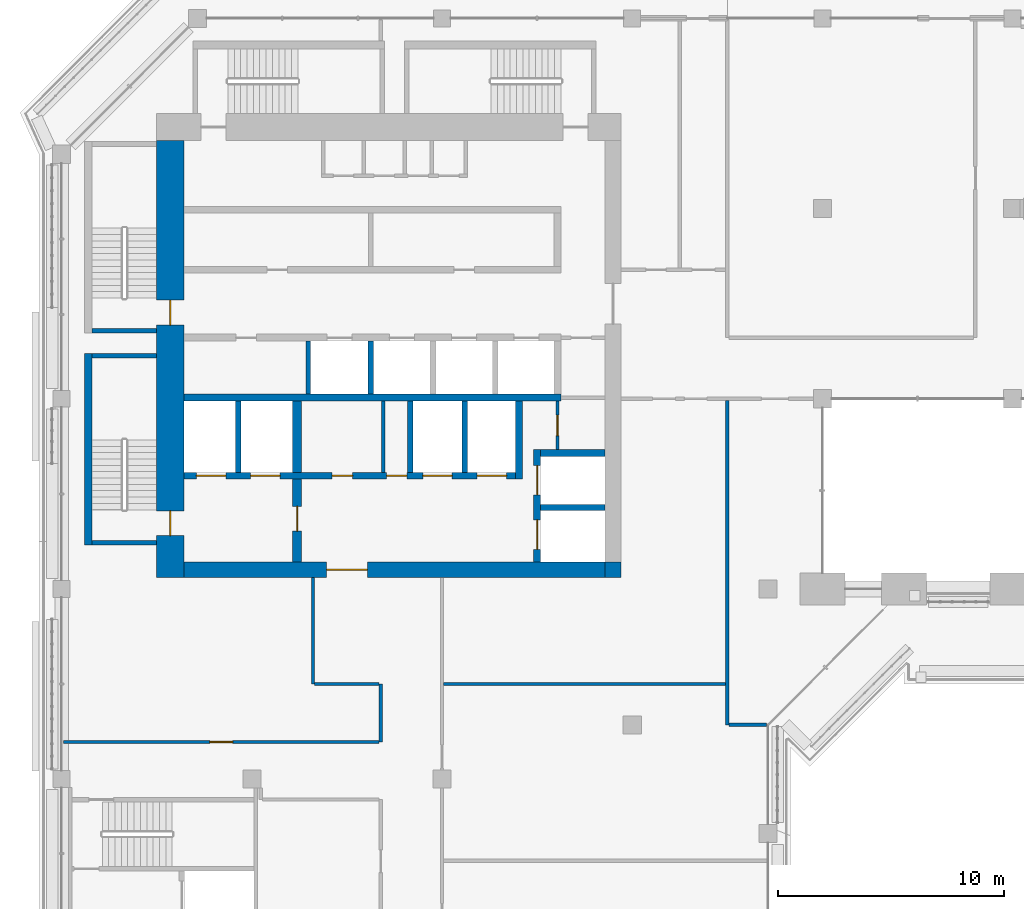
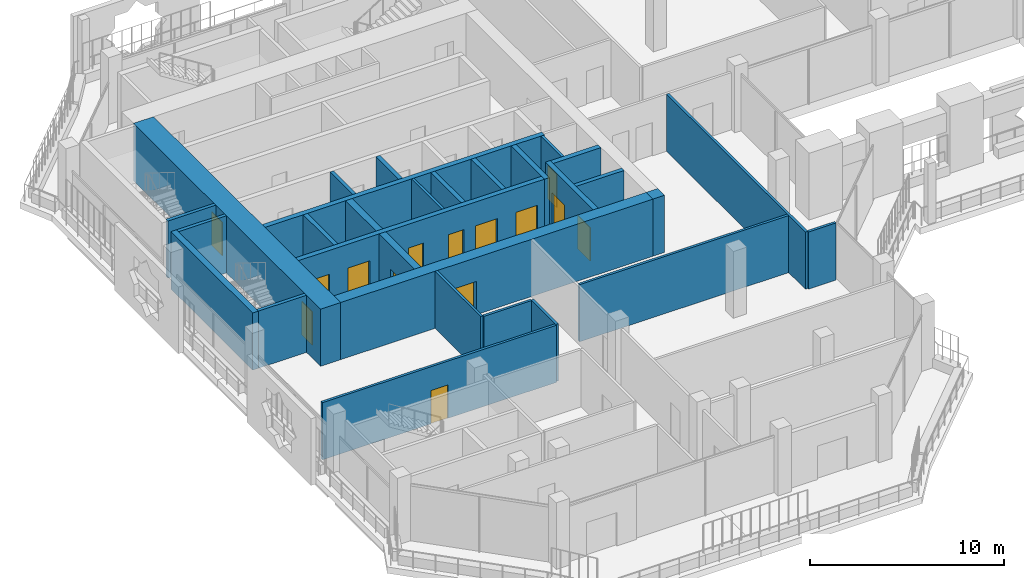
# One storey, part 10 of 22: 29 walls, 14 doors, 14 openings.
"""IFC4 building model written with IfcOpenShell, lengths in metres."""

from ifc_helpers import new_model, si_unit, direction, frame, frame_2d, origin, place, context, subcontext, project, spatial, rectangle, extrude, material, layer, layer_set, type_object, element, fill, save


model = new_model("IFC4")

# Units and contexts
model_context = context("Model", 3, precision=1e-05, world=origin(), true_north=direction((0.0, 1.0)))
body_context = subcontext(model_context, "Body", "Model", "MODEL_VIEW")
ifc_project = project(units=[si_unit("LENGTHUNIT", "METRE"), si_unit("AREAUNIT", "SQUARE_METRE"), si_unit("VOLUMEUNIT", "CUBIC_METRE"), si_unit("PLANEANGLEUNIT", "RADIAN"), si_unit("MASSUNIT", "GRAM", prefix="KILO")], contexts=[model_context])

# Site, building, storey
site_placement = place(None, origin())
site = spatial("IfcSite", under=ifc_project, at=site_placement, CompositionType="ELEMENT")
building_placement = place(site_placement, origin())
building = spatial("IfcBuilding", under=site, at=building_placement, Name="Kawkab Arch Medical Tower", CompositionType="ELEMENT")
storey_placement = place(building_placement, frame((0.0, 0.0, 286.0)))
storey = spatial("IfcBuildingStorey", under=building, at=storey_placement, Name="L66", CompositionType="ELEMENT", Elevation=286.0)

# Wall, openings, doors
ifc_material_1 = material(Name="Concrete C50/60", Category="concrete")
ifc_layer_1 = layer(ifc_material_1, 1.199951171875)
ifc_layer_set_1 = layer_set([ifc_layer_1], Name="Concrete C50/60")
wall_type_1 = type_object("IfcWallType", Name="Core ring wall 1200 C50/60", PredefinedType="SHEAR", material=ifc_layer_set_1)
wall_1_placement = place(storey_placement, frame((4.800048828125, -24.699951171875, 0.0), z_axis=(0.0, 0.0, 1.0), x_axis=(0.0, 1.0, 0.0)))
wall_1 = element("IfcWall", 1, at=wall_1_placement, inside=storey, type_object=wall_type_1, Name="L66 core wall", PredefinedType="SHEAR", context=body_context, shape_type="SweptSolid", body=[
    extrude(rectangle(XDim=19.300048828125, YDim=1.199951171875, at=frame_2d((9.64990234375, 0.0))), origin(), (0.0, 0.0, 1.0), 3.60009765625),
])
opening_1_placement = place(wall_1_placement, frame((11.14990234375, 0.0, 0.0)))
opening_1 = element("IfcOpeningElement", 2, at=opening_1_placement, cuts=wall_1, Name="Opening SD", PredefinedType="OPENING", context=body_context, shape_type="SweptSolid", body=[
    extrude(rectangle(XDim=1.10009765625, YDim=2.10009765625, at=frame_2d((0.550048828125, 1.050048828125))), frame((0.0, 0.60986328125, 0.0), z_axis=(0.0, -1.0, 0.0), x_axis=(1.0, 0.0, 0.0)), (0.0, 0.0, 1.0), 1.219970703125),
])
opening_2_placement = place(wall_1_placement, frame((1.85009765625, 0.0, 0.0)))
opening_2 = element("IfcOpeningElement", 3, at=opening_2_placement, cuts=wall_1, Name="Opening SD", PredefinedType="OPENING", context=body_context, shape_type="SweptSolid", body=[
    extrude(rectangle(XDim=1.10009765625, YDim=2.10009765625, at=frame_2d((0.550048828125, 1.050048828125))), frame((0.0, 0.60986328125, 0.0), z_axis=(0.0, -1.0, 0.0), x_axis=(1.0, 0.0, 0.0)), (0.0, 0.0, 1.0), 1.219970703125),
])
ifc_material_2 = material(Name="Hollow metal fire door leaf")
door_type_1 = type_object("IfcDoorType", Name="Exit stair door 1100", OperationType="SINGLE_SWING_LEFT", PredefinedType="DOOR", material=ifc_material_2)
door_1_placement = place(opening_1_placement, origin())
door_1 = element("IfcDoor", 4, at=door_1_placement, inside=storey, type_object=door_type_1, Name="L66 Exit stair ST1 door", OperationType="SINGLE_SWING_LEFT", OverallHeight=2.10009765625, OverallWidth=1.10009765625, PredefinedType="DOOR", context=body_context, shape_type="SweptSolid", body=[
    extrude(rectangle(XDim=1.10009765625, YDim=2.10009765625, at=frame_2d((0.550048828125, 1.050048828125))), frame((0.0, 0.02490234375, 0.0), z_axis=(0.0, -1.0, 0.0), x_axis=(1.0, 0.0, 0.0)), (0.0, 0.0, 1.0), 0.050048828125),
])
fill(opening_1, door_1)
door_2_placement = place(opening_2_placement, origin())
door_2 = element("IfcDoor", 5, at=door_2_placement, inside=storey, type_object=door_type_1, Name="L66 Exit stair ST2 door", OperationType="SINGLE_SWING_LEFT", OverallHeight=2.10009765625, OverallWidth=1.10009765625, PredefinedType="DOOR", context=body_context, shape_type="SweptSolid", body=[
    extrude(rectangle(XDim=1.10009765625, YDim=2.10009765625, at=frame_2d((0.550048828125, 1.050048828125))), frame((0.0, 0.02490234375, 0.0), z_axis=(0.0, -1.0, 0.0), x_axis=(1.0, 0.0, 0.0)), (0.0, 0.0, 1.0), 0.050048828125),
])
fill(opening_2, door_2)

# Wall, opening, door
ifc_material_3 = material(Name="Concrete C50/60", Category="concrete")
ifc_layer_2 = layer(ifc_material_3, 0.699951171875)
ifc_layer_set_2 = layer_set([ifc_layer_2], Name="Concrete C50/60")
wall_type_2 = type_object("IfcWallType", Name="Core ring wall 700 C50/60", PredefinedType="SHEAR", material=ifc_layer_set_2)
wall_2_placement = place(storey_placement, frame((5.39990234375, -24.35009765625, 0.0), z_axis=(0.0, 0.0, 1.0), x_axis=(1.0, 0.0, 0.0)))
wall_2 = element("IfcWall", 6, at=wall_2_placement, inside=storey, type_object=wall_type_2, Name="L66 core wall", PredefinedType="SHEAR", context=body_context, shape_type="SweptSolid", body=[
    extrude(rectangle(XDim=18.60009765625, YDim=0.699951171875, at=frame_2d((9.300048828125, 0.0))), origin(), (0.0, 0.0, 1.0), 3.60009765625),
])
opening_3_placement = place(wall_2_placement, frame((6.300048828125, 0.0, 0.0)))
opening_3 = element("IfcOpeningElement", 7, at=opening_3_placement, cuts=wall_2, Name="Opening PD", PredefinedType="OPENING", context=body_context, shape_type="SweptSolid", body=[
    extrude(rectangle(XDim=1.800048828125, YDim=2.10009765625, at=frame_2d((0.89990234375, 1.050048828125))), frame((0.0, 0.35986328125, 0.0), z_axis=(0.0, -1.0, 0.0), x_axis=(1.0, 0.0, 0.0)), (0.0, 0.0, 1.0), 0.719970703125),
])
ifc_material_4 = material(Name="Hollow metal fire door leaf")
door_type_2 = type_object("IfcDoorType", Name="Core entrance doors 1800", OperationType="DOUBLE_DOOR_SINGLE_SWING", PredefinedType="DOOR", material=ifc_material_4)
door_3_placement = place(opening_3_placement, origin())
door_3 = element("IfcDoor", 8, at=door_3_placement, inside=storey, type_object=door_type_2, Name="L66 South entrance doors", OperationType="DOUBLE_DOOR_SINGLE_SWING", OverallHeight=2.10009765625, OverallWidth=1.800048828125, PredefinedType="DOOR", context=body_context, shape_type="SweptSolid", body=[
    extrude(rectangle(XDim=1.800048828125, YDim=2.10009765625, at=frame_2d((0.89990234375, 1.050048828125))), frame((0.0, 0.02490234375, 0.0), z_axis=(0.0, -1.0, 0.0), x_axis=(1.0, 0.0, 0.0)), (0.0, 0.0, 1.0), 0.050048828125),
])
fill(opening_3, door_3)

# Wall
wall_3_placement = place(storey_placement, frame((24.35009765625, -24.699951171875, 0.0), z_axis=(0.0, 0.0, 1.0), x_axis=(0.0, 1.0, 0.0)))
element("IfcWall", 9, at=wall_3_placement, inside=storey, type_object=wall_type_2, Name="L66 core wall", PredefinedType="SHEAR", context=body_context, shape_type="SweptSolid", body=[
    extrude(rectangle(XDim=0.699951171875, YDim=0.699951171875, at=frame_2d((0.35009765625, 0.0))), origin(), (0.0, 0.0, 1.0), 3.60009765625),
])

# Wall, opening, door
ifc_material_5 = material(Name="Gypsum board on steel studs", Category="steel")
ifc_layer_3 = layer(ifc_material_5, 0.14990234375)
ifc_layer_set_3 = layer_set([ifc_layer_3], Name="Gypsum board on steel studs")
wall_type_3 = type_object("IfcWallType", Name="Core room partition 150", PredefinedType="PARTITIONING", material=ifc_layer_set_3)
wall_4_placement = place(storey_placement, frame((21.89990234375, -19.050048828125, 0.0), z_axis=(0.0, 0.0, 1.0), x_axis=(0.0, 1.0, 0.0)))
wall_4 = element("IfcWall", 10, at=wall_4_placement, inside=storey, type_object=wall_type_3, Name="L66 core room partition", PredefinedType="PARTITIONING", context=body_context, shape_type="SweptSolid", body=[
    extrude(rectangle(XDim=2.150146484375, YDim=0.14990234375, at=frame_2d((1.0751953125, 0.0))), origin(), (0.0, 0.0, 1.0), 3.60009765625),
])
opening_4_placement = place(wall_4_placement, frame((0.625, 0.0, 0.0)))
opening_4 = element("IfcOpeningElement", 11, at=opening_4_placement, cuts=wall_4, Name="Opening RD", PredefinedType="OPENING", context=body_context, shape_type="SweptSolid", body=[
    extrude(rectangle(XDim=0.89990234375, YDim=2.10009765625, at=frame_2d((0.449951171875, 1.050048828125))), frame((0.0, 0.0849609375, 0.0), z_axis=(0.0, -1.0, 0.0), x_axis=(1.0, 0.0, 0.0)), (0.0, 0.0, 1.0), 0.169921875),
])
ifc_material_6 = material(Name="Hollow metal fire door leaf")
door_type_3 = type_object("IfcDoorType", Name="Core room door 900", OperationType="SINGLE_SWING_LEFT", PredefinedType="DOOR", material=ifc_material_6)
door_4_placement = place(opening_4_placement, origin())
door_4 = element("IfcDoor", 12, at=door_4_placement, inside=storey, type_object=door_type_3, Name="L66 Staff WC door", OperationType="SINGLE_SWING_LEFT", OverallHeight=2.10009765625, OverallWidth=0.89990234375, PredefinedType="DOOR", context=body_context, shape_type="SweptSolid", body=[
    extrude(rectangle(XDim=0.89990234375, YDim=2.10009765625, at=frame_2d((0.449951171875, 1.050048828125))), frame((0.0, 0.02490234375, 0.0), z_axis=(0.0, -1.0, 0.0), x_axis=(1.0, 0.0, 0.0)), (0.0, 0.0, 1.0), 0.050048828125),
])
fill(opening_4, door_4)

# Walls
wall_5_placement = place(storey_placement, frame((14.199951171875, -20.050048828125, 0.0), z_axis=(0.0, 0.0, 1.0), x_axis=(0.0, 1.0, 0.0)))
element("IfcWall", 13, at=wall_5_placement, inside=storey, type_object=wall_type_3, Name="L66 core room partition", PredefinedType="PARTITIONING", context=body_context, shape_type="SweptSolid", body=[
    extrude(rectangle(XDim=3.150146484375, YDim=0.14990234375, at=frame_2d((1.5751953125, 0.0))), origin(), (0.0, 0.0, 1.0), 3.60009765625),
])
ifc_material_7 = material(Name="Concrete C60/75", Category="concrete")
ifc_layer_4 = layer(ifc_material_7, 0.25)
ifc_layer_set_4 = layer_set([ifc_layer_4], Name="Concrete C60/75")
wall_type_4 = type_object("IfcWallType", Name="Core shear wall 250 C60/75", PredefinedType="SHEAR", material=ifc_layer_set_4)
wall_6_placement = place(storey_placement, frame((21.14990234375, -21.60009765625, 0.0), z_axis=(0.0, 0.0, 1.0), x_axis=(1.0, 0.0, 0.0)))
element("IfcWall", 14, at=wall_6_placement, inside=storey, type_object=wall_type_4, Name="L66 core shear wall", PredefinedType="SHEAR", context=body_context, shape_type="SweptSolid", body=[
    extrude(rectangle(XDim=2.85009765625, YDim=0.25, at=frame_2d((1.425048828125, 0.0))), origin(), (0.0, 0.0, 1.0), 3.60009765625),
])
for number, where, z_axis, x_axis, name in (
    (15, (7.800048828125, -20.050048828125, 0.0), (0.0, 0.0, 1.0), (0.0, 1.0, 0.0), "L66 core shear wall"),
    (16, (15.39990234375, -20.050048828125, 0.0), (0.0, 0.0, 1.0), (0.0, 1.0, 0.0), "L66 core shear wall"),
    (17, (17.800048828125, -20.050048828125, 0.0), (0.0, 0.0, 1.0), (0.0, 1.0, 0.0), "L66 core shear wall"),
):
    element("IfcWall", number, at=place(storey_placement, frame(where, z_axis=z_axis, x_axis=x_axis)), inside=storey, type_object=wall_type_4, Name=name, PredefinedType="SHEAR", context=body_context, shape_type="SweptSolid", body=[
        extrude(rectangle(XDim=3.150146484375, YDim=0.25, at=frame_2d((1.5751953125, 0.0))), origin(), (0.0, 0.0, 1.0), 3.60009765625),
    ])
wall_7_placement = place(storey_placement, frame((13.64990234375, -16.60009765625, 0.0), z_axis=(0.0, 0.0, 1.0), x_axis=(0.0, 1.0, 0.0)))
element("IfcWall", 18, at=wall_7_placement, inside=storey, type_object=wall_type_4, Name="L66 core shear wall", PredefinedType="SHEAR", context=body_context, shape_type="SweptSolid", body=[
    extrude(rectangle(XDim=2.35009765625, YDim=0.25, at=frame_2d((1.175048828125, 0.0))), origin(), (0.0, 0.0, 1.0), 3.60009765625),
])
ifc_material_8 = material(Name="Concrete C60/75", Category="concrete")
ifc_layer_5 = layer(ifc_material_8, 0.300048828125)
ifc_layer_set_5 = layer_set([ifc_layer_5], Name="Concrete C60/75")
wall_type_5 = type_object("IfcWallType", Name="Core shear wall 300 C60/75", PredefinedType="SHEAR", material=ifc_layer_set_5)
wall_8_placement = place(storey_placement, frame((5.39990234375, -16.75, 0.0), z_axis=(0.0, 0.0, 1.0), x_axis=(1.0, 0.0, 0.0)))
element("IfcWall", 19, at=wall_8_placement, inside=storey, type_object=wall_type_5, Name="L66 core shear wall", PredefinedType="SHEAR", context=body_context, shape_type="SweptSolid", body=[
    extrude(rectangle(XDim=16.650146484375, YDim=0.300048828125, at=frame_2d((8.3251953125, 0.0))), origin(), (0.0, 0.0, 1.0), 3.60009765625),
])

# Wall, openings, doors
wall_9_placement = place(storey_placement, frame((5.39990234375, -20.199951171875, 0.0), z_axis=(0.0, 0.0, 1.0), x_axis=(1.0, 0.0, 0.0)))
wall_9 = element("IfcWall", 20, at=wall_9_placement, inside=storey, type_object=wall_type_5, Name="L66 core shear wall", PredefinedType="SHEAR", context=body_context, shape_type="SweptSolid", body=[
    extrude(rectangle(XDim=14.650146484375, YDim=0.300048828125, at=frame_2d((7.3251953125, 0.0))), origin(), (0.0, 0.0, 1.0), 3.60009765625),
])
opening_5_placement = place(wall_9_placement, frame((10.550048828125, 0.0, 0.0)))
opening_5 = element("IfcOpeningElement", 21, at=opening_5_placement, cuts=wall_9, Name="Opening LD2", PredefinedType="OPENING", context=body_context, shape_type="SweptSolid", body=[
    extrude(rectangle(XDim=1.300048828125, YDim=2.10009765625, at=frame_2d((0.64990234375, 1.050048828125))), frame((0.0, 0.159912109375, 0.0), z_axis=(0.0, -1.0, 0.0), x_axis=(1.0, 0.0, 0.0)), (0.0, 0.0, 1.0), 0.320068359375),
])
opening_6_placement = place(wall_9_placement, frame((12.949951171875, 0.0, 0.0)))
opening_6 = element("IfcOpeningElement", 22, at=opening_6_placement, cuts=wall_9, Name="Opening LD2", PredefinedType="OPENING", context=body_context, shape_type="SweptSolid", body=[
    extrude(rectangle(XDim=1.300048828125, YDim=2.10009765625, at=frame_2d((0.64990234375, 1.050048828125))), frame((0.0, 0.159912109375, 0.0), z_axis=(0.0, -1.0, 0.0), x_axis=(1.0, 0.0, 0.0)), (0.0, 0.0, 1.0), 0.320068359375),
])
opening_7_placement = place(wall_9_placement, frame((0.550048828125, 0.0, 0.0)))
opening_7 = element("IfcOpeningElement", 23, at=opening_7_placement, cuts=wall_9, Name="Opening LD2", PredefinedType="OPENING", context=body_context, shape_type="SweptSolid", body=[
    extrude(rectangle(XDim=1.300048828125, YDim=2.10009765625, at=frame_2d((0.64990234375, 1.050048828125))), frame((0.0, 0.159912109375, 0.0), z_axis=(0.0, -1.0, 0.0), x_axis=(1.0, 0.0, 0.0)), (0.0, 0.0, 1.0), 0.320068359375),
])
opening_8_placement = place(wall_9_placement, frame((2.949951171875, 0.0, 0.0)))
opening_8 = element("IfcOpeningElement", 24, at=opening_8_placement, cuts=wall_9, Name="Opening LD2", PredefinedType="OPENING", context=body_context, shape_type="SweptSolid", body=[
    extrude(rectangle(XDim=1.300048828125, YDim=2.10009765625, at=frame_2d((0.64990234375, 1.050048828125))), frame((0.0, 0.159912109375, 0.0), z_axis=(0.0, -1.0, 0.0), x_axis=(1.0, 0.0, 0.0)), (0.0, 0.0, 1.0), 0.320068359375),
])
opening_9_placement = place(wall_9_placement, frame((6.550048828125, 0.0, 0.0)))
opening_9 = element("IfcOpeningElement", 25, at=opening_9_placement, cuts=wall_9, Name="Opening RD", PredefinedType="OPENING", context=body_context, shape_type="SweptSolid", body=[
    extrude(rectangle(XDim=0.89990234375, YDim=2.10009765625, at=frame_2d((0.449951171875, 1.050048828125))), frame((0.0, 0.159912109375, 0.0), z_axis=(0.0, -1.0, 0.0), x_axis=(1.0, 0.0, 0.0)), (0.0, 0.0, 1.0), 0.320068359375),
])
opening_10_placement = place(wall_9_placement, frame((8.949951171875, 0.0, 0.0)))
opening_10 = element("IfcOpeningElement", 26, at=opening_10_placement, cuts=wall_9, Name="Opening RD", PredefinedType="OPENING", context=body_context, shape_type="SweptSolid", body=[
    extrude(rectangle(XDim=0.89990234375, YDim=2.10009765625, at=frame_2d((0.449951171875, 1.050048828125))), frame((0.0, 0.159912109375, 0.0), z_axis=(0.0, -1.0, 0.0), x_axis=(1.0, 0.0, 0.0)), (0.0, 0.0, 1.0), 0.320068359375),
])
door_5_placement = place(opening_9_placement, origin())
door_5 = element("IfcDoor", 27, at=door_5_placement, inside=storey, type_object=door_type_3, Name="L66 Medication store door", OperationType="SINGLE_SWING_LEFT", OverallHeight=2.10009765625, OverallWidth=0.89990234375, PredefinedType="DOOR", context=body_context, shape_type="SweptSolid", body=[
    extrude(rectangle(XDim=0.89990234375, YDim=2.10009765625, at=frame_2d((0.449951171875, 1.050048828125))), frame((0.0, 0.02490234375, 0.0), z_axis=(0.0, -1.0, 0.0), x_axis=(1.0, 0.0, 0.0)), (0.0, 0.0, 1.0), 0.050048828125),
])
fill(opening_9, door_5)
door_6_placement = place(opening_10_placement, origin())
door_6 = element("IfcDoor", 28, at=door_6_placement, inside=storey, type_object=door_type_3, Name="L66 Clean utility room door", OperationType="SINGLE_SWING_LEFT", OverallHeight=2.10009765625, OverallWidth=0.89990234375, PredefinedType="DOOR", context=body_context, shape_type="SweptSolid", body=[
    extrude(rectangle(XDim=0.89990234375, YDim=2.10009765625, at=frame_2d((0.449951171875, 1.050048828125))), frame((0.0, 0.02490234375, 0.0), z_axis=(0.0, -1.0, 0.0), x_axis=(1.0, 0.0, 0.0)), (0.0, 0.0, 1.0), 0.050048828125),
])
fill(opening_10, door_6)
ifc_material_9 = material(Name="Stainless steel lift door leaf", Category="steel")
door_type_4 = type_object("IfcDoorType", Name="Lift landing door 1300", OperationType="DOUBLE_DOOR_SLIDING", PredefinedType="DOOR", material=ifc_material_9)
door_7_placement = place(opening_5_placement, origin())
door_7 = element("IfcDoor", 29, at=door_7_placement, inside=storey, type_object=door_type_4, Name="L66 Lift landing door BD3", OperationType="DOUBLE_DOOR_SLIDING", OverallHeight=2.10009765625, OverallWidth=1.300048828125, PredefinedType="DOOR", context=body_context, shape_type="SweptSolid", body=[
    extrude(rectangle(XDim=1.300048828125, YDim=2.10009765625, at=frame_2d((0.64990234375, 1.050048828125))), frame((0.0, 0.02490234375, 0.0), z_axis=(0.0, -1.0, 0.0), x_axis=(1.0, 0.0, 0.0)), (0.0, 0.0, 1.0), 0.050048828125),
])
fill(opening_5, door_7)
door_8_placement = place(opening_6_placement, origin())
door_8 = element("IfcDoor", 30, at=door_8_placement, inside=storey, type_object=door_type_4, Name="L66 Lift landing door BD4", OperationType="DOUBLE_DOOR_SLIDING", OverallHeight=2.10009765625, OverallWidth=1.300048828125, PredefinedType="DOOR", context=body_context, shape_type="SweptSolid", body=[
    extrude(rectangle(XDim=1.300048828125, YDim=2.10009765625, at=frame_2d((0.64990234375, 1.050048828125))), frame((0.0, 0.02490234375, 0.0), z_axis=(0.0, -1.0, 0.0), x_axis=(1.0, 0.0, 0.0)), (0.0, 0.0, 1.0), 0.050048828125),
])
fill(opening_6, door_8)
door_9_placement = place(opening_7_placement, origin())
door_9 = element("IfcDoor", 31, at=door_9_placement, inside=storey, type_object=door_type_4, Name="L66 Lift landing door FL1", OperationType="DOUBLE_DOOR_SLIDING", OverallHeight=2.10009765625, OverallWidth=1.300048828125, PredefinedType="DOOR", context=body_context, shape_type="SweptSolid", body=[
    extrude(rectangle(XDim=1.300048828125, YDim=2.10009765625, at=frame_2d((0.64990234375, 1.050048828125))), frame((0.0, 0.02490234375, 0.0), z_axis=(0.0, -1.0, 0.0), x_axis=(1.0, 0.0, 0.0)), (0.0, 0.0, 1.0), 0.050048828125),
])
fill(opening_7, door_9)
door_10_placement = place(opening_8_placement, origin())
door_10 = element("IfcDoor", 32, at=door_10_placement, inside=storey, type_object=door_type_4, Name="L66 Lift landing door FL2", OperationType="DOUBLE_DOOR_SLIDING", OverallHeight=2.10009765625, OverallWidth=1.300048828125, PredefinedType="DOOR", context=body_context, shape_type="SweptSolid", body=[
    extrude(rectangle(XDim=1.300048828125, YDim=2.10009765625, at=frame_2d((0.64990234375, 1.050048828125))), frame((0.0, 0.02490234375, 0.0), z_axis=(0.0, -1.0, 0.0), x_axis=(1.0, 0.0, 0.0)), (0.0, 0.0, 1.0), 0.050048828125),
])
fill(opening_8, door_10)

# Walls
wall_10_placement = place(storey_placement, frame((20.199951171875, -20.35009765625, 0.0), z_axis=(0.0, 0.0, 1.0), x_axis=(0.0, 1.0, 0.0)))
element("IfcWall", 33, at=wall_10_placement, inside=storey, type_object=wall_type_5, Name="L66 core shear wall", PredefinedType="SHEAR", context=body_context, shape_type="SweptSolid", body=[
    extrude(rectangle(XDim=3.4501953125, YDim=0.300048828125, at=frame_2d((1.72509765625, 0.0))), origin(), (0.0, 0.0, 1.0), 3.60009765625),
])
wall_11_placement = place(storey_placement, frame((21.14990234375, -19.199951171875, 0.0), z_axis=(0.0, 0.0, 1.0), x_axis=(1.0, 0.0, 0.0)))
element("IfcWall", 34, at=wall_11_placement, inside=storey, type_object=wall_type_5, Name="L66 core shear wall", PredefinedType="SHEAR", context=body_context, shape_type="SweptSolid", body=[
    extrude(rectangle(XDim=2.85009765625, YDim=0.300048828125, at=frame_2d((1.425048828125, 0.0))), origin(), (0.0, 0.0, 1.0), 3.60009765625),
])

# Wall, openings, doors
wall_12_placement = place(storey_placement, frame((21.0, -24.0, 0.0), z_axis=(0.0, 0.0, 1.0), x_axis=(0.0, 1.0, 0.0)))
wall_12 = element("IfcWall", 35, at=wall_12_placement, inside=storey, type_object=wall_type_5, Name="L66 core shear wall", PredefinedType="SHEAR", context=body_context, shape_type="SweptSolid", body=[
    extrude(rectangle(XDim=4.949951171875, YDim=0.300048828125, at=frame_2d((2.47509765625, 0.0))), origin(), (0.0, 0.0, 1.0), 3.60009765625),
])
opening_11_placement = place(wall_12_placement, frame((2.949951171875, 0.0, 0.0)))
opening_11 = element("IfcOpeningElement", 36, at=opening_11_placement, cuts=wall_12, Name="Opening LD2", PredefinedType="OPENING", context=body_context, shape_type="SweptSolid", body=[
    extrude(rectangle(XDim=1.300048828125, YDim=2.10009765625, at=frame_2d((0.64990234375, 1.050048828125))), frame((0.0, 0.159912109375, 0.0), z_axis=(0.0, -1.0, 0.0), x_axis=(1.0, 0.0, 0.0)), (0.0, 0.0, 1.0), 0.320068359375),
])
opening_12_placement = place(wall_12_placement, frame((0.550048828125, 0.0, 0.0)))
opening_12 = element("IfcOpeningElement", 37, at=opening_12_placement, cuts=wall_12, Name="Opening LD2", PredefinedType="OPENING", context=body_context, shape_type="SweptSolid", body=[
    extrude(rectangle(XDim=1.300048828125, YDim=2.10009765625, at=frame_2d((0.64990234375, 1.050048828125))), frame((0.0, 0.159912109375, 0.0), z_axis=(0.0, -1.0, 0.0), x_axis=(1.0, 0.0, 0.0)), (0.0, 0.0, 1.0), 0.320068359375),
])
door_11_placement = place(opening_11_placement, origin())
door_11 = element("IfcDoor", 38, at=door_11_placement, inside=storey, type_object=door_type_4, Name="L66 Lift landing door BD1", OperationType="DOUBLE_DOOR_SLIDING", OverallHeight=2.10009765625, OverallWidth=1.300048828125, PredefinedType="DOOR", context=body_context, shape_type="SweptSolid", body=[
    extrude(rectangle(XDim=1.300048828125, YDim=2.10009765625, at=frame_2d((0.64990234375, 1.050048828125))), frame((0.0, 0.02490234375, 0.0), z_axis=(0.0, -1.0, 0.0), x_axis=(1.0, 0.0, 0.0)), (0.0, 0.0, 1.0), 0.050048828125),
])
fill(opening_11, door_11)
door_12_placement = place(opening_12_placement, origin())
door_12 = element("IfcDoor", 39, at=door_12_placement, inside=storey, type_object=door_type_4, Name="L66 Lift landing door BD2", OperationType="DOUBLE_DOOR_SLIDING", OverallHeight=2.10009765625, OverallWidth=1.300048828125, PredefinedType="DOOR", context=body_context, shape_type="SweptSolid", body=[
    extrude(rectangle(XDim=1.300048828125, YDim=2.10009765625, at=frame_2d((0.64990234375, 1.050048828125))), frame((0.0, 0.02490234375, 0.0), z_axis=(0.0, -1.0, 0.0), x_axis=(1.0, 0.0, 0.0)), (0.0, 0.0, 1.0), 0.050048828125),
])
fill(opening_12, door_12)

# Wall, opening, door
ifc_material_10 = material(Name="Concrete C60/75", Category="concrete")
ifc_layer_6 = layer(ifc_material_10, 0.39990234375)
ifc_layer_set_6 = layer_set([ifc_layer_6], Name="Concrete C60/75")
wall_type_6 = type_object("IfcWallType", Name="Core shear wall 400 C60/75", PredefinedType="SHEAR", material=ifc_layer_set_6)
wall_13_placement = place(storey_placement, frame((10.39990234375, -24.0, 0.0), z_axis=(0.0, 0.0, 1.0), x_axis=(0.0, 1.0, 0.0)))
wall_13 = element("IfcWall", 40, at=wall_13_placement, inside=storey, type_object=wall_type_6, Name="L66 core shear wall", PredefinedType="SHEAR", context=body_context, shape_type="SweptSolid", body=[
    extrude(rectangle(XDim=3.64990234375, YDim=0.39990234375, at=frame_2d((1.824951171875, 0.0))), origin(), (0.0, 0.0, 1.0), 3.60009765625),
])
opening_13_placement = place(wall_13_placement, frame((1.35009765625, 0.0, 0.0)))
opening_13 = element("IfcOpeningElement", 41, at=opening_13_placement, cuts=wall_13, Name="Opening FD", PredefinedType="OPENING", context=body_context, shape_type="SweptSolid", body=[
    extrude(rectangle(XDim=1.10009765625, YDim=2.10009765625, at=frame_2d((0.550048828125, 1.050048828125))), frame((0.0, 0.2099609375, 0.0), z_axis=(0.0, -1.0, 0.0), x_axis=(1.0, 0.0, 0.0)), (0.0, 0.0, 1.0), 0.419921875),
])
ifc_material_11 = material(Name="Hollow metal fire door leaf")
door_type_5 = type_object("IfcDoorType", Name="Firefighting lobby door 1100", OperationType="SINGLE_SWING_LEFT", PredefinedType="DOOR", material=ifc_material_11)
door_13_placement = place(opening_13_placement, origin())
door_13 = element("IfcDoor", 42, at=door_13_placement, inside=storey, type_object=door_type_5, Name="L66 Firefighting lobby door", OperationType="SINGLE_SWING_LEFT", OverallHeight=2.10009765625, OverallWidth=1.10009765625, PredefinedType="DOOR", context=body_context, shape_type="SweptSolid", body=[
    extrude(rectangle(XDim=1.10009765625, YDim=2.10009765625, at=frame_2d((0.550048828125, 1.050048828125))), frame((0.0, 0.02490234375, 0.0), z_axis=(0.0, -1.0, 0.0), x_axis=(1.0, 0.0, 0.0)), (0.0, 0.0, 1.0), 0.050048828125),
])
fill(opening_13, door_13)

# Walls
wall_14_placement = place(storey_placement, frame((10.39990234375, -20.050048828125, 0.0), z_axis=(0.0, 0.0, 1.0), x_axis=(0.0, 1.0, 0.0)))
element("IfcWall", 43, at=wall_14_placement, inside=storey, type_object=wall_type_6, Name="L66 core shear wall", PredefinedType="SHEAR", context=body_context, shape_type="SweptSolid", body=[
    extrude(rectangle(XDim=3.150146484375, YDim=0.39990234375, at=frame_2d((1.5751953125, 0.0))), origin(), (0.0, 0.0, 1.0), 3.60009765625),
])
ifc_material_12 = material(Name="Dense concrete blockwork", Category="masonry")
ifc_layer_7 = layer(ifc_material_12, 0.199951171875)
ifc_layer_set_7 = layer_set([ifc_layer_7], Name="Dense concrete blockwork")
wall_type_7 = type_object("IfcWallType", Name="Lift shaft partition 200", PredefinedType="PARTITIONING", material=ifc_layer_set_7)
wall_15_placement = place(storey_placement, frame((10.89990234375, -16.60009765625, 0.0), z_axis=(0.0, 0.0, 1.0), x_axis=(0.0, 1.0, 0.0)))
element("IfcWall", 44, at=wall_15_placement, inside=storey, type_object=wall_type_7, Name="L66 lift shaft partition", PredefinedType="PARTITIONING", context=body_context, shape_type="SweptSolid", body=[
    extrude(rectangle(XDim=2.35009765625, YDim=0.199951171875, at=frame_2d((1.175048828125, 0.0))), origin(), (0.0, 0.0, 1.0), 3.60009765625),
])

# Wall, opening, door
ifc_material_13 = material(Name="Gypsum board partition on steel studs, mineral wool", Category="steel")
ifc_layer_8 = layer(ifc_material_13, 0.14990234375)
ifc_layer_set_8 = layer_set([ifc_layer_8], Name="Gypsum board partition on steel studs, mineral wool")
wall_type_8 = type_object("IfcWallType", Name="Partition 150", PredefinedType="PARTITIONING", material=ifc_layer_set_8)
wall_16_placement = place(storey_placement, frame((0.080078125, -31.95703125, 0.0), z_axis=(0.0, 0.0, 1.0), x_axis=(1.0, 0.0, 0.0)))
wall_16 = element("IfcWall", 45, at=wall_16_placement, inside=storey, type_object=wall_type_8, Name="Partition 150 w006", PredefinedType="PARTITIONING", context=body_context, shape_type="SweptSolid", body=[
    extrude(rectangle(XDim=13.94482421875, YDim=0.14990234375, at=frame_2d((6.972412109375, 0.0))), origin(), (0.0, 0.0, 1.0), 3.60009765625),
])
opening_14_placement = place(wall_16_placement, frame((6.469970703125, 0.0, 0.0)))
opening_14 = element("IfcOpeningElement", 46, at=opening_14_placement, cuts=wall_16, Name="Opening B66-008", PredefinedType="OPENING", context=body_context, shape_type="SweptSolid", body=[
    extrude(rectangle(XDim=1.0, YDim=2.10009765625, at=frame_2d((0.5, 1.050048828125))), frame((0.0, 0.0849609375, 0.0), z_axis=(0.0, -1.0, 0.0), x_axis=(1.0, 0.0, 0.0)), (0.0, 0.0, 1.0), 0.169921875),
])
ifc_material_14 = material(Name="Hollow metal door leaf")
door_type_6 = type_object("IfcDoorType", Name="Single door 1000x2100 FD30S", OperationType="NOTDEFINED", PredefinedType="DOOR", material=ifc_material_14)
door_14_placement = place(opening_14_placement, origin())
door_14 = element("IfcDoor", 47, at=door_14_placement, inside=storey, type_object=door_type_6, Name="Door B66-008", OperationType="SINGLE_SWING_RIGHT", OverallHeight=2.10009765625, OverallWidth=1.0, PredefinedType="DOOR", context=body_context, shape_type="SweptSolid", body=[
    extrude(rectangle(XDim=1.0, YDim=2.10009765625, at=frame_2d((0.5, 1.050048828125))), frame((0.0, 0.02490234375, 0.0), z_axis=(0.0, -1.0, 0.0), x_axis=(1.0, 0.0, 0.0)), (0.0, 0.0, 1.0), 0.050048828125),
])
fill(opening_14, door_14)

# Walls
wall_17_placement = place(storey_placement, frame((29.47705078125, -31.199951171875, 0.0), z_axis=(0.0, 0.0, 1.0), x_axis=(1.0, 0.0, 0.0)))
element("IfcWall", 48, at=wall_17_placement, inside=storey, type_object=wall_type_8, Name="Partition 150 w007", PredefinedType="PARTITIONING", context=body_context, shape_type="SweptSolid", body=[
    extrude(rectangle(XDim=1.64306640625, YDim=0.14990234375, at=frame_2d((0.821533203125, 0.0))), origin(), (0.0, 0.0, 1.0), 3.60009765625),
])
wall_18_placement = place(storey_placement, frame((11.177001953125, -29.39990234375, 0.0), z_axis=(0.0, 0.0, 1.0), x_axis=(1.0, 0.0, 0.0)))
element("IfcWall", 49, at=wall_18_placement, inside=storey, type_object=wall_type_8, Name="Partition 150 w008", PredefinedType="PARTITIONING", context=body_context, shape_type="SweptSolid", body=[
    extrude(rectangle(XDim=2.847900390625, YDim=0.14990234375, at=frame_2d((1.423828125, 0.0))), origin(), (0.0, 0.0, 1.0), 3.60009765625),
])
wall_19_placement = place(storey_placement, frame((16.875, -29.39990234375, 0.0), z_axis=(0.0, 0.0, 1.0), x_axis=(1.0, 0.0, 0.0)))
element("IfcWall", 50, at=wall_19_placement, inside=storey, type_object=wall_type_8, Name="Partition 150 w009", PredefinedType="PARTITIONING", context=body_context, shape_type="SweptSolid", body=[
    extrude(rectangle(XDim=12.449951171875, YDim=0.14990234375, at=frame_2d((6.22509765625, 0.0))), origin(), (0.0, 0.0, 1.0), 3.60009765625),
])
wall_20_placement = place(storey_placement, frame((11.10009765625, -29.39892578125, 0.0), z_axis=(0.0, 0.0, 1.0), x_axis=(0.0, 1.0, 0.0)))
element("IfcWall", 51, at=wall_20_placement, inside=storey, type_object=wall_type_8, Name="Partition 150 w021", PredefinedType="PARTITIONING", context=body_context, shape_type="SweptSolid", body=[
    extrude(rectangle(XDim=4.698974609375, YDim=0.14990234375, at=frame_2d((2.349609375, 0.0))), origin(), (0.0, 0.0, 1.0), 3.60009765625),
])
wall_21_placement = place(storey_placement, frame((14.10009765625, -31.95703125, 0.0), z_axis=(0.0, 0.0, 1.0), x_axis=(0.0, 1.0, 0.0)))
element("IfcWall", 52, at=wall_21_placement, inside=storey, type_object=wall_type_8, Name="Partition 150 w024", PredefinedType="PARTITIONING", context=body_context, shape_type="SweptSolid", body=[
    extrude(rectangle(XDim=2.55712890625, YDim=0.14990234375, at=frame_2d((1.278564453125, 0.0))), origin(), (0.0, 0.0, 1.0), 3.60009765625),
])
wall_22_placement = place(storey_placement, frame((29.39990234375, -31.197998046875, 0.0), z_axis=(0.0, 0.0, 1.0), x_axis=(0.0, 1.0, 0.0)))
element("IfcWall", 53, at=wall_22_placement, inside=storey, type_object=wall_type_8, Name="Partition 150 w028", PredefinedType="PARTITIONING", context=body_context, shape_type="SweptSolid", body=[
    extrude(rectangle(XDim=14.322998046875, YDim=0.14990234375, at=frame_2d((7.16162109375, 0.0))), origin(), (0.0, 0.0, 1.0), 3.60009765625),
])
ifc_material_15 = material(Name="Concrete C50/60", Category="concrete")
ifc_layer_9 = layer(ifc_material_15, 0.199951171875)
ifc_layer_set_9 = layer_set([ifc_layer_9], Name="Concrete C50/60")
wall_type_9 = type_object("IfcWallType", Name="Stair enclosure wall 200 C50/60", PredefinedType="SHEAR", material=ifc_layer_set_9)
for number, where, z_axis, x_axis, name in (
    (54, (1.35009765625, -13.800048828125, 0.0), (0.0, 0.0, 1.0), (1.0, 0.0, 0.0), "L66 stair enclosure wall"),
    (55, (1.35009765625, -14.89990234375, 0.0), (0.0, 0.0, 1.0), (1.0, 0.0, 0.0), "L66 stair enclosure wall"),
    (56, (1.35009765625, -23.14990234375, 0.0), (0.0, 0.0, 1.0), (1.0, 0.0, 0.0), "L66 stair enclosure wall"),
):
    element("IfcWall", number, at=place(storey_placement, frame(where, z_axis=z_axis, x_axis=x_axis)), inside=storey, type_object=wall_type_9, Name=name, PredefinedType="SHEAR", context=body_context, shape_type="SweptSolid", body=[
        extrude(rectangle(XDim=2.849853515625, YDim=0.199951171875, at=frame_2d((1.4248046875, 0.0))), origin(), (0.0, 0.0, 1.0), 3.60009765625),
    ])
ifc_material_16 = material(Name="Concrete C50/60", Category="concrete")
ifc_layer_10 = layer(ifc_material_16, 0.35009765625)
ifc_layer_set_10 = layer_set([ifc_layer_10], Name="Concrete C50/60")
wall_type_10 = type_object("IfcWallType", Name="Stair enclosure wall 350 C50/60", PredefinedType="SHEAR", material=ifc_layer_set_10)
wall_23_placement = place(storey_placement, frame((1.175048828125, -23.25, 0.0), z_axis=(0.0, 0.0, 1.0), x_axis=(0.0, 1.0, 0.0)))
element("IfcWall", 57, at=wall_23_placement, inside=storey, type_object=wall_type_10, Name="L66 stair enclosure wall", PredefinedType="SHEAR", context=body_context, shape_type="SweptSolid", body=[
    extrude(rectangle(XDim=8.449951171875, YDim=0.35009765625, at=frame_2d((4.22509765625, 0.0))), origin(), (0.0, 0.0, 1.0), 3.60009765625),
])

save(model, "model.ifc")
